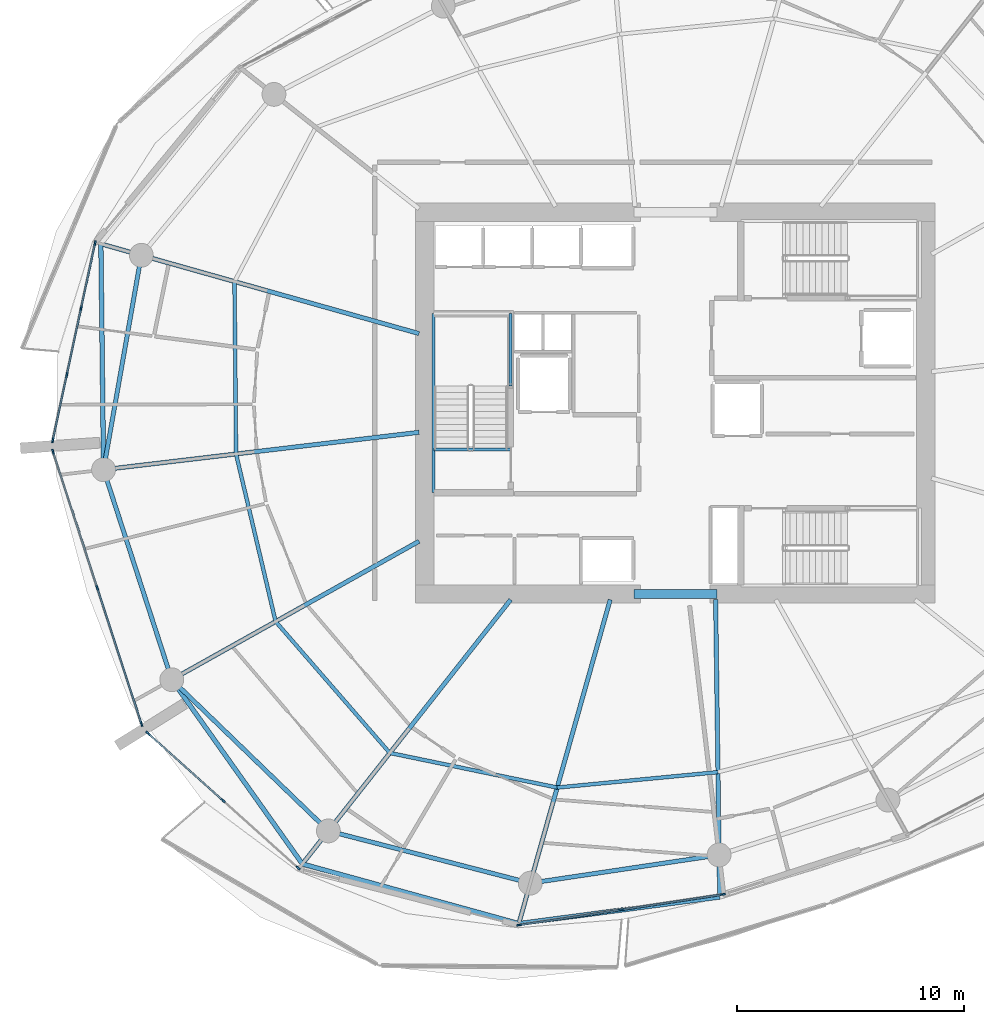
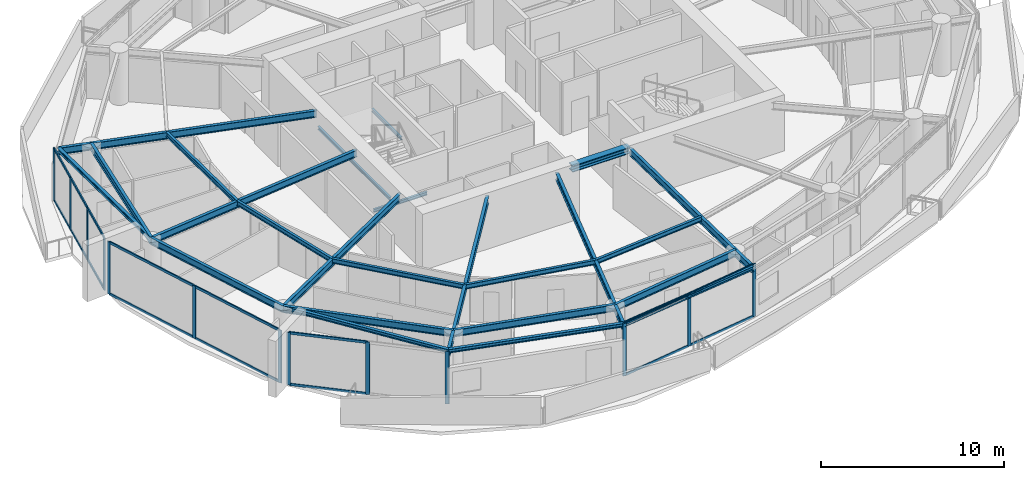
# One storey, part 5 of 20: 29 members, 24 beams, 4 elements without a shape of their own.
"""IFC4 building model written with IfcOpenShell, lengths in metres."""

from ifc_helpers import new_model, si_unit, direction, frame, origin, origin_2d, place, context, subcontext, project, spatial, rectangle, i_section, extrude, material, layer, layer_set, material_profile, profile_set, type_object, element, aggregate, save


model = new_model("IFC4")

# Units and contexts
model_context = context("Model", 3, precision=1e-05, world=origin(), true_north=direction((0.0, 1.0)))
body_context = subcontext(model_context, "Body", "Model", "MODEL_VIEW")
ifc_project = project(units=[si_unit("LENGTHUNIT", "METRE"), si_unit("AREAUNIT", "SQUARE_METRE"), si_unit("VOLUMEUNIT", "CUBIC_METRE"), si_unit("PLANEANGLEUNIT", "RADIAN"), si_unit("MASSUNIT", "GRAM", prefix="KILO")], contexts=[model_context])

# Site, building, storey
site_placement = place(None, origin())
site = spatial("IfcSite", under=ifc_project, at=site_placement, CompositionType="ELEMENT")
building_placement = place(site_placement, origin())
building = spatial("IfcBuilding", under=site, at=building_placement, Name="Kazma Halo Residences", CompositionType="ELEMENT")
storey_placement = place(building_placement, frame((0.0, 0.0, 150.300048828125)))
storey = spatial("IfcBuildingStorey", under=building, at=storey_placement, Name="L37", CompositionType="ELEMENT", Elevation=150.300048828125)

# Beams
ifc_material_1 = material(Name="Steel S355", Category="steel")
ifc_material_profile_1 = material_profile(ifc_material_1, i_section(OverallWidth=0.201904296875, OverallDepth=0.2470703125, WebThickness=0.00732421875, FlangeThickness=0.010986328125, FilletRadius=0.011962890625, at=origin_2d()), Name="W250x49.1")
ifc_profile_set_1 = profile_set([ifc_material_profile_1], Name="Steel S355")
beam_type_1 = type_object("IfcBeamType", Name="BM-BAL-CANT", PredefinedType="BEAM", material=ifc_profile_set_1)
beam_1_placement = place(storey_placement, frame((23.149658203125, 49.008544921875, 3.37646484375), z_axis=(0.011793371143, -0.99993045578, 0.0), x_axis=(0.99993045578, 0.011793371143, 0.0)))
element("IfcBeam", 1, at=beam_1_placement, inside=storey, type_object=beam_type_1, Name="L37 wave-balcony tie beam 07", PredefinedType="BEAM", context=body_context, shape_type="SweptSolid", body=[
    extrude(i_section(OverallWidth=0.201904296875, OverallDepth=0.2470703125, WebThickness=0.00732421875, FlangeThickness=0.010986328125, FilletRadius=0.011962890625, at=origin_2d()), origin(), (0.0, 0.0, 1.0), 9.936767578125),
])
beam_2_placement = place(storey_placement, frame((26.269775390625, 29.83056640625, 3.37646484375), z_axis=(0.578203432081, -0.81589263456, 0.0), x_axis=(0.81589263456, 0.578203432081, 0.0)))
element("IfcBeam", 2, at=beam_2_placement, inside=storey, type_object=beam_type_1, Name="L37 wave-balcony lead tie beam 09", PredefinedType="BEAM", context=body_context, shape_type="SweptSolid", body=[
    extrude(i_section(OverallWidth=0.201904296875, OverallDepth=0.2470703125, WebThickness=0.00732421875, FlangeThickness=0.010986328125, FilletRadius=0.011962890625, at=origin_2d()), origin(), (0.0, 0.0, 1.0), 9.9365234375),
])
beam_3_placement = place(storey_placement, frame((32.01513671875, 21.723388671875, 3.37646484375), z_axis=(0.964045237638, -0.265738179019, 0.0), x_axis=(0.265738179019, 0.964045237638, 0.0)))
element("IfcBeam", 3, at=beam_3_placement, inside=storey, type_object=beam_type_1, Name="L37 wave-balcony tie beam 10", PredefinedType="BEAM", context=body_context, shape_type="SweptSolid", body=[
    extrude(i_section(OverallWidth=0.201904296875, OverallDepth=0.2470703125, WebThickness=0.00732421875, FlangeThickness=0.010986328125, FilletRadius=0.011962890625, at=origin_2d()), origin(), (0.0, 0.0, 1.0), 9.880859375),
])
beam_4_placement = place(storey_placement, frame((41.540771484375, 19.09765625, 3.37646484375), z_axis=(0.991326402839, 0.13142284061, 0.0), x_axis=(-0.13142284061, 0.991326402839, 0.0)))
element("IfcBeam", 4, at=beam_4_placement, inside=storey, type_object=beam_type_1, Name="L37 wave-balcony tie beam 11", PredefinedType="BEAM", context=body_context, shape_type="SweptSolid", body=[
    extrude(i_section(OverallWidth=0.201904296875, OverallDepth=0.2470703125, WebThickness=0.00732421875, FlangeThickness=0.010986328125, FilletRadius=0.011962890625, at=origin_2d()), origin(), (0.0, 0.0, 1.0), 8.9150390625),
])
ifc_material_profile_2 = material_profile(ifc_material_1, i_section(OverallWidth=0.408935546875, OverallDepth=0.425048828125, WebThickness=0.03271484375, FlangeThickness=0.052490234375, FilletRadius=0.02001953125, at=origin_2d()), Name="W360x421")
ifc_profile_set_2 = profile_set([ifc_material_profile_2], Name="Steel S355")
beam_type_2 = type_object("IfcBeamType", Name="BM-CORE-W360H", PredefinedType="BEAM", material=ifc_profile_set_2)
beam_5_placement = place(storey_placement, frame((46.60009765625, 33.60009765625, 3.287353515625), z_axis=(1.0, 0.0, 0.0), x_axis=(0.0, 1.0, 0.0)))
element("IfcBeam", 5, at=beam_5_placement, inside=storey, type_object=beam_type_2, Name="L37 core coupling beam S", PredefinedType="BEAM", context=body_context, shape_type="SweptSolid", body=[
    extrude(i_section(OverallWidth=0.408935546875, OverallDepth=0.425048828125, WebThickness=0.03271484375, FlangeThickness=0.052490234375, FilletRadius=0.02001953125, at=origin_2d()), origin(), (0.0, 0.0, 1.0), 3.64990234375),
])
ifc_material_profile_3 = material_profile(ifc_material_1, i_section(OverallWidth=0.18994140625, OverallDepth=0.45703125, WebThickness=0.009033203125, FlangeThickness=0.014404296875, FilletRadius=0.01611328125, at=origin_2d()), Name="W460x74")
ifc_profile_set_3 = profile_set([ifc_material_profile_3], Name="Steel S355")
beam_type_3 = type_object("IfcBeamType", Name="BM-RAD-W460", PredefinedType="BEAM", material=ifc_profile_set_3)
beam_6_placement = place(storey_placement, frame((37.14990234375, 45.06005859375, 3.271484375), z_axis=(-0.962455072712, 0.271441030447, 0.0), x_axis=(-0.271441030447, -0.962455072712, 0.0)))
element("IfcBeam", 6, at=beam_6_placement, inside=storey, type_object=beam_type_3, Name="L37 radial floor beam 07", PredefinedType="BEAM", context=body_context, shape_type="SweptSolid", body=[
    extrude(i_section(OverallWidth=0.18994140625, OverallDepth=0.45703125, WebThickness=0.009033203125, FlangeThickness=0.014404296875, FilletRadius=0.01611328125, at=origin_2d()), origin(), (0.0, 0.0, 1.0), 14.54638671875),
])
beam_7_placement = place(storey_placement, frame((37.14990234375, 40.7158203125, 3.271484375), z_axis=(-0.993067267044, -0.117547450531, 0.0), x_axis=(0.117547450531, -0.993067267044, 0.0)))
element("IfcBeam", 7, at=beam_7_placement, inside=storey, type_object=beam_type_3, Name="L37 radial floor beam 08", PredefinedType="BEAM", context=body_context, shape_type="SweptSolid", body=[
    extrude(i_section(OverallWidth=0.18994140625, OverallDepth=0.45703125, WebThickness=0.009033203125, FlangeThickness=0.014404296875, FilletRadius=0.01611328125, at=origin_2d()), origin(), (0.0, 0.0, 1.0), 13.97998046875),
])
beam_8_placement = place(storey_placement, frame((37.14990234375, 35.923583984375, 3.271484375), z_axis=(-0.87250100809, -0.488612311431, 0.0), x_axis=(0.488612311431, -0.87250100809, 0.0)))
element("IfcBeam", 8, at=beam_8_placement, inside=storey, type_object=beam_type_3, Name="L37 radial floor beam 09", PredefinedType="BEAM", context=body_context, shape_type="SweptSolid", body=[
    extrude(i_section(OverallWidth=0.18994140625, OverallDepth=0.45703125, WebThickness=0.009033203125, FlangeThickness=0.014404296875, FilletRadius=0.01611328125, at=origin_2d()), origin(), (0.0, 0.0, 1.0), 12.469970703125),
])
beam_9_placement = place(storey_placement, frame((41.180908203125, 33.35009765625, 3.271484375), z_axis=(-0.619094498239, -0.785316498139, 0.0), x_axis=(0.785316498139, -0.619094498239, 0.0)))
element("IfcBeam", 9, at=beam_9_placement, inside=storey, type_object=beam_type_3, Name="L37 radial floor beam 10", PredefinedType="BEAM", context=body_context, shape_type="SweptSolid", body=[
    extrude(i_section(OverallWidth=0.18994140625, OverallDepth=0.45703125, WebThickness=0.009033203125, FlangeThickness=0.014404296875, FilletRadius=0.01611328125, at=origin_2d()), origin(), (0.0, 0.0, 1.0), 14.80517578125),
])
beam_10_placement = place(storey_placement, frame((45.560302734375, 33.35009765625, 3.271484375), z_axis=(-0.271435886816, -0.962456523355, 0.0), x_axis=(0.962456523355, -0.271435886816, 0.0)))
element("IfcBeam", 10, at=beam_10_placement, inside=storey, type_object=beam_type_3, Name="L37 radial floor beam 11", PredefinedType="BEAM", context=body_context, shape_type="SweptSolid", body=[
    extrude(i_section(OverallWidth=0.18994140625, OverallDepth=0.45703125, WebThickness=0.009033203125, FlangeThickness=0.014404296875, FilletRadius=0.01611328125, at=origin_2d()), origin(), (0.0, 0.0, 1.0), 14.808349609375),
])
beam_11_placement = place(storey_placement, frame((50.199951171875, 33.35009765625, 3.271484375), z_axis=(0.013642135434, -0.99990694174, 0.0), x_axis=(0.99990694174, 0.013642135434, 0.0)))
element("IfcBeam", 11, at=beam_11_placement, inside=storey, type_object=beam_type_3, Name="L37 radial floor beam 12", PredefinedType="BEAM", context=body_context, shape_type="SweptSolid", body=[
    extrude(i_section(OverallWidth=0.18994140625, OverallDepth=0.45703125, WebThickness=0.009033203125, FlangeThickness=0.014404296875, FilletRadius=0.01611328125, at=origin_2d()), origin(), (0.0, 0.0, 1.0), 13.08203125),
])
ifc_material_profile_4 = material_profile(ifc_material_1, i_section(OverallWidth=0.1650390625, OverallDepth=0.31005859375, WebThickness=0.005859375, FlangeThickness=0.009765625, FilletRadius=0.011962890625, at=origin_2d()), Name="W310x38.7")
ifc_profile_set_4 = profile_set([ifc_material_profile_4], Name="Steel S355")
beam_type_4 = type_object("IfcBeamType", Name="BM-SEC-W310B", PredefinedType="JOIST", material=ifc_profile_set_4)
beam_12_placement = place(storey_placement, frame((29.02978515625, 47.35009765625, 3.344970703125), z_axis=(0.008944876706, -0.99995999379, 0.0), x_axis=(0.99995999379, 0.008944876706, 0.0)))
element("IfcBeam", 12, at=beam_12_placement, inside=storey, type_object=beam_type_4, Name="L37 circumferential floor joist 07", PredefinedType="JOIST", context=body_context, shape_type="SweptSolid", body=[
    extrude(i_section(OverallWidth=0.1650390625, OverallDepth=0.31005859375, WebThickness=0.005859375, FlangeThickness=0.009765625, FilletRadius=0.011962890625, at=origin_2d()), origin(), (0.0, 0.0, 1.0), 7.587646484375),
])
beam_13_placement = place(storey_placement, frame((29.09765625, 39.7626953125, 3.344970703125), z_axis=(0.229897820601, -0.973214771817, 0.0), x_axis=(0.973214771817, 0.229897820601, 0.0)))
element("IfcBeam", 13, at=beam_13_placement, inside=storey, type_object=beam_type_4, Name="L37 circumferential floor joist 08", PredefinedType="JOIST", context=body_context, shape_type="SweptSolid", body=[
    extrude(i_section(OverallWidth=0.1650390625, OverallDepth=0.31005859375, WebThickness=0.005859375, FlangeThickness=0.009765625, FilletRadius=0.011962890625, at=origin_2d()), origin(), (0.0, 0.0, 1.0), 7.575927734375),
])
beam_14_placement = place(storey_placement, frame((30.83935546875, 32.3896484375, 3.344970703125), z_axis=(0.655935687589, -0.754816781575, 0.0), x_axis=(0.754816781575, 0.655935687589, 0.0)))
element("IfcBeam", 14, at=beam_14_placement, inside=storey, type_object=beam_type_4, Name="L37 circumferential floor joist 09", PredefinedType="JOIST", context=body_context, shape_type="SweptSolid", body=[
    extrude(i_section(OverallWidth=0.1650390625, OverallDepth=0.31005859375, WebThickness=0.005859375, FlangeThickness=0.009765625, FilletRadius=0.011962890625, at=origin_2d()), origin(), (0.0, 0.0, 1.0), 7.661376953125),
])
beam_15_placement = place(storey_placement, frame((35.86474609375, 26.606689453125, 3.344970703125), z_axis=(0.979272189631, -0.202548706773, 0.0), x_axis=(0.202548706773, 0.979272189631, 0.0)))
element("IfcBeam", 15, at=beam_15_placement, inside=storey, type_object=beam_type_4, Name="L37 circumferential floor joist 10", PredefinedType="JOIST", context=body_context, shape_type="SweptSolid", body=[
    extrude(i_section(OverallWidth=0.1650390625, OverallDepth=0.31005859375, WebThickness=0.005859375, FlangeThickness=0.009765625, FilletRadius=0.011962890625, at=origin_2d()), origin(), (0.0, 0.0, 1.0), 7.52001953125),
])
beam_16_placement = place(storey_placement, frame((43.22900390625, 25.08349609375, 3.344970703125), z_axis=(0.995416389983, 0.095635822539, 0.0), x_axis=(-0.095635822539, 0.995416389983, 0.0)))
element("IfcBeam", 16, at=beam_16_placement, inside=storey, type_object=beam_type_4, Name="L37 circumferential floor joist 11", PredefinedType="JOIST", context=body_context, shape_type="SweptSolid", body=[
    extrude(i_section(OverallWidth=0.1650390625, OverallDepth=0.31005859375, WebThickness=0.005859375, FlangeThickness=0.009765625, FilletRadius=0.011962890625, at=origin_2d()), origin(), (0.0, 0.0, 1.0), 7.10693359375),
])
ifc_material_profile_5 = material_profile(ifc_material_1, i_section(OverallWidth=0.18994140625, OverallDepth=0.45703125, WebThickness=0.009033203125, FlangeThickness=0.014404296875, FilletRadius=0.01611328125, at=origin_2d()), Name="W460x74")
ifc_profile_set_5 = profile_set([ifc_material_profile_5], Name="Steel S355")
beam_type_5 = type_object("IfcBeamType", Name="BM-SPN-W460", PredefinedType="BEAM", material=ifc_profile_set_5)
beam_17_placement = place(storey_placement, frame((24.93017578125, 48.50634765625, 3.271484375), z_axis=(-0.173637033425, -0.984809717978, 0.0), x_axis=(0.984809717978, -0.173637033425, 0.0)))
element("IfcBeam", 17, at=beam_17_placement, inside=storey, type_object=beam_type_5, Name="L37 perimeter ring beam 07", PredefinedType="BEAM", context=body_context, shape_type="SweptSolid", body=[
    extrude(i_section(OverallWidth=0.18994140625, OverallDepth=0.45703125, WebThickness=0.009033203125, FlangeThickness=0.014404296875, FilletRadius=0.01611328125, at=origin_2d()), origin(), (0.0, 0.0, 1.0), 9.579345703125),
])
beam_18_placement = place(storey_placement, frame((23.266845703125, 39.072509765625, 3.271484375), z_axis=(0.309020741629, -0.95105529873, 0.0), x_axis=(0.95105529873, 0.309020741629, 0.0)))
element("IfcBeam", 18, at=beam_18_placement, inside=storey, type_object=beam_type_5, Name="L37 perimeter ring beam 08", PredefinedType="BEAM", context=body_context, shape_type="SweptSolid", body=[
    extrude(i_section(OverallWidth=0.18994140625, OverallDepth=0.45703125, WebThickness=0.009033203125, FlangeThickness=0.014404296875, FilletRadius=0.01611328125, at=origin_2d()), origin(), (0.0, 0.0, 1.0), 9.717529296875),
])
beam_19_placement = place(storey_placement, frame((26.269775390625, 29.83056640625, 3.271484375), z_axis=(0.719334705845, -0.694663645923, 0.0), x_axis=(0.694663645923, 0.719334705845, 0.0)))
element("IfcBeam", 19, at=beam_19_placement, inside=storey, type_object=beam_type_5, Name="L37 perimeter ring beam 09", PredefinedType="BEAM", context=body_context, shape_type="SweptSolid", body=[
    extrude(i_section(OverallWidth=0.18994140625, OverallDepth=0.45703125, WebThickness=0.009033203125, FlangeThickness=0.014404296875, FilletRadius=0.01611328125, at=origin_2d()), origin(), (0.0, 0.0, 1.0), 9.5791015625),
])
beam_20_placement = place(storey_placement, frame((33.160400390625, 23.17626953125, 3.271484375), z_axis=(0.968123664213, -0.250472694699, 0.0), x_axis=(0.250472694699, 0.968123664213, 0.0)))
element("IfcBeam", 20, at=beam_20_placement, inside=storey, type_object=beam_type_5, Name="L37 perimeter ring beam 10", PredefinedType="BEAM", context=body_context, shape_type="SweptSolid", body=[
    extrude(i_section(OverallWidth=0.18994140625, OverallDepth=0.45703125, WebThickness=0.009033203125, FlangeThickness=0.014404296875, FilletRadius=0.01611328125, at=origin_2d()), origin(), (0.0, 0.0, 1.0), 9.175048828125),
])
beam_21_placement = place(storey_placement, frame((42.04296875, 20.878173828125, 3.271484375), z_axis=(0.989037147603, 0.147666924735, 0.0), x_axis=(-0.147666924735, 0.989037147603, 0.0)))
element("IfcBeam", 21, at=beam_21_placement, inside=storey, type_object=beam_type_5, Name="L37 perimeter ring beam 11", PredefinedType="BEAM", context=body_context, shape_type="SweptSolid", body=[
    extrude(i_section(OverallWidth=0.18994140625, OverallDepth=0.45703125, WebThickness=0.009033203125, FlangeThickness=0.014404296875, FilletRadius=0.01611328125, at=origin_2d()), origin(), (0.0, 0.0, 1.0), 8.402099609375),
])
ifc_material_profile_6 = material_profile(ifc_material_1, i_section(OverallWidth=0.133056640625, OverallDepth=0.20703125, WebThickness=0.005859375, FlangeThickness=0.00830078125, FilletRadius=0.010009765625, at=origin_2d()), Name="W200x26.6")
ifc_profile_set_6 = profile_set([ifc_material_profile_6], Name="Steel S355")
beam_type_6 = type_object("IfcBeamType", Name="BM-TRIM-W200", PredefinedType="BEAM", material=ifc_profile_set_6)
beam_22_placement = place(storey_placement, frame((37.800048828125, 39.949951171875, -0.360107421875), z_axis=(1.0, 0.0, 0.0), x_axis=(0.0, 1.0, 0.0)))
element("IfcBeam", 22, at=beam_22_placement, inside=storey, type_object=beam_type_6, Name="L37 ST-01 floor landing support beam", PredefinedType="BEAM", context=body_context, shape_type="SweptSolid", body=[
    extrude(i_section(OverallWidth=0.133056640625, OverallDepth=0.20703125, WebThickness=0.005859375, FlangeThickness=0.00830078125, FilletRadius=0.010009765625, at=origin_2d()), origin(), (0.0, 0.0, 1.0), 3.3798828125),
])
beam_23_placement = place(storey_placement, frame((37.780029296875, 38.06005859375, 1.570068359375), z_axis=(0.0, 1.0, 0.0), x_axis=(-1.0, 0.0, 0.0)))
element("IfcBeam", 23, at=beam_23_placement, inside=storey, type_object=beam_type_6, Name="L37 ST-01 landing west wall ledger", PredefinedType="BEAM", context=body_context, shape_type="SweptSolid", body=[
    extrude(i_section(OverallWidth=0.133056640625, OverallDepth=0.20703125, WebThickness=0.005859375, FlangeThickness=0.00830078125, FilletRadius=0.010009765625, at=origin_2d()), origin(), (0.0, 0.0, 1.0), 7.8798828125),
])
beam_24_placement = place(storey_placement, frame((41.179931640625, 42.75, 1.570068359375), z_axis=(0.0, 1.0, 0.0), x_axis=(-1.0, 0.0, 0.0)))
element("IfcBeam", 24, at=beam_24_placement, inside=storey, type_object=beam_type_6, Name="L37 ST-01 landing east wall ledger", PredefinedType="BEAM", context=body_context, shape_type="SweptSolid", body=[
    extrude(i_section(OverallWidth=0.133056640625, OverallDepth=0.20703125, WebThickness=0.005859375, FlangeThickness=0.00830078125, FilletRadius=0.010009765625, at=origin_2d()), origin(), (0.0, 0.0, 1.0), 3.18994140625),
])

# Curtain wall, members
ifc_material_2 = material(Name="Aluminium AW-6063 T6 and Triple-Silver Low-E Glass", Category="aluminium")
ifc_layer = layer(ifc_material_2, 0.219970703125)
ifc_layer_set = layer_set([ifc_layer], Name="Aluminium AW-6063 T6 and Triple-Silver Low-E Glass")
curtain_wall_type = type_object("IfcCurtainWallType", Name="CW-SYS-4", PredefinedType="NOTDEFINED", material=ifc_layer_set)
curtain_wall_1_placement = place(storey_placement, origin())
curtain_wall_1 = element("IfcCurtainWall", 25, at=curtain_wall_1_placement, inside=storey, type_object=curtain_wall_type, Name="L37 unitised curtain wall B07", PredefinedType="NOTDEFINED")
ifc_material_3 = material(Name="Aluminium AW-6063 T6", Category="aluminium")
ifc_material_profile_7 = material_profile(ifc_material_3, rectangle(XDim=0.074951171875, YDim=0.219970703125, at=origin_2d()), Name="CWM-75x220")
ifc_profile_set_7 = profile_set([ifc_material_profile_7], Name="Aluminium AW-6063 T6")
member_type_1 = type_object("IfcMemberType", Name="CW-SYS-4-MUL", PredefinedType="MULLION", material=ifc_profile_set_7)
member_1_placement = place(storey_placement, frame((22.894775390625, 49.04150390625, 0.0), z_axis=(0.0, 0.0, 1.0), x_axis=(0.977764957684, -0.209703809037, 0.0)))
member_1 = element("IfcMember", 26, at=member_1_placement, type_object=member_type_1, Name="CWS-4 mullion 1", PredefinedType="MULLION", context=body_context, shape_type="SweptSolid", body=[
    extrude(rectangle(XDim=0.074951171875, YDim=0.219970703125, at=origin_2d()), origin(), (0.0, 0.0, 1.0), 3.5),
])
member_2_placement = place(storey_placement, frame((22.27685546875, 46.160888671875, 0.0), z_axis=(0.0, 0.0, 1.0), x_axis=(0.977764957684, -0.209703809037, 0.0)))
member_2 = element("IfcMember", 27, at=member_2_placement, type_object=member_type_1, Name="CWS-4 mullion 2", PredefinedType="MULLION", context=body_context, shape_type="SweptSolid", body=[
    extrude(rectangle(XDim=0.074951171875, YDim=0.219970703125, at=origin_2d()), origin(), (0.0, 0.0, 1.0), 3.5),
])
member_3_placement = place(storey_placement, frame((21.6513671875, 43.24365234375, 0.0), z_axis=(0.0, 0.0, 1.0), x_axis=(0.977764957684, -0.209703809037, 0.0)))
member_3 = element("IfcMember", 28, at=member_3_placement, type_object=member_type_1, Name="CWS-4 mullion 3", PredefinedType="MULLION", context=body_context, shape_type="SweptSolid", body=[
    extrude(rectangle(XDim=0.074951171875, YDim=0.219970703125, at=origin_2d()), origin(), (0.0, 0.0, 1.0), 3.5),
])
member_4_placement = place(storey_placement, frame((21.033447265625, 40.36328125, 0.0), z_axis=(0.0, 0.0, 1.0), x_axis=(0.977764957684, -0.209703809037, 0.0)))
member_4 = element("IfcMember", 29, at=member_4_placement, type_object=member_type_1, Name="CWS-4 mullion 4", PredefinedType="MULLION", context=body_context, shape_type="SweptSolid", body=[
    extrude(rectangle(XDim=0.074951171875, YDim=0.219970703125, at=origin_2d()), origin(), (0.0, 0.0, 1.0), 3.5),
])

curtain_wall_2_placement = place(storey_placement, origin())
curtain_wall_2 = element("IfcCurtainWall", 30, at=curtain_wall_2_placement, inside=storey, type_object=curtain_wall_type, Name="L37 unitised curtain wall B08", PredefinedType="NOTDEFINED")
member_5_placement = place(storey_placement, frame((21.044189453125, 39.86572265625, 0.0), z_axis=(0.0, 0.0, 1.0), x_axis=(0.951057547609, 0.3090138203, 0.0)))
member_5 = element("IfcMember", 31, at=member_5_placement, type_object=member_type_1, Name="CWS-4 mullion 1", PredefinedType="MULLION", context=body_context, shape_type="SweptSolid", body=[
    extrude(rectangle(XDim=0.074951171875, YDim=0.219970703125, at=origin_2d()), origin(), (0.0, 0.0, 1.0), 3.5),
])
member_6_placement = place(storey_placement, frame((22.990966796875, 33.8740234375, 0.0), z_axis=(0.0, 0.0, 1.0), x_axis=(0.951057547609, 0.3090138203, 0.0)))
member_6 = element("IfcMember", 32, at=member_6_placement, type_object=member_type_1, Name="CWS-4 mullion 2", PredefinedType="MULLION", context=body_context, shape_type="SweptSolid", body=[
    extrude(rectangle(XDim=0.074951171875, YDim=0.219970703125, at=origin_2d()), origin(), (0.0, 0.0, 1.0), 3.5),
])
member_7_placement = place(storey_placement, frame((24.937744140625, 27.882568359375, 0.0), z_axis=(0.0, 0.0, 1.0), x_axis=(0.951057547609, 0.3090138203, 0.0)))
member_7 = element("IfcMember", 33, at=member_7_placement, type_object=member_type_1, Name="CWS-4 mullion 3", PredefinedType="MULLION", context=body_context, shape_type="SweptSolid", body=[
    extrude(rectangle(XDim=0.074951171875, YDim=0.219970703125, at=origin_2d()), origin(), (0.0, 0.0, 1.0), 3.5),
])

curtain_wall_3_placement = place(storey_placement, origin())
curtain_wall_3 = element("IfcCurtainWall", 34, at=curtain_wall_3_placement, inside=storey, type_object=curtain_wall_type, Name="L37 unitised curtain wall B09", PredefinedType="NOTDEFINED")
member_8_placement = place(storey_placement, frame((25.221435546875, 27.4736328125, 0.0), z_axis=(0.0, 0.0, 1.0), x_axis=(0.667770096247, 0.744367582957, 0.0)))
member_8 = element("IfcMember", 35, at=member_8_placement, type_object=member_type_1, Name="CWS-4 mullion 1", PredefinedType="MULLION", context=body_context, shape_type="SweptSolid", body=[
    extrude(rectangle(XDim=0.074951171875, YDim=0.219970703125, at=origin_2d()), origin(), (0.0, 0.0, 1.0), 3.5),
])
member_9_placement = place(storey_placement, frame((28.52490234375, 24.51025390625, 0.0), z_axis=(0.0, 0.0, 1.0), x_axis=(0.667770096247, 0.744367582957, 0.0)))
member_9 = element("IfcMember", 36, at=member_9_placement, type_object=member_type_1, Name="CWS-4 mullion 2", PredefinedType="MULLION", context=body_context, shape_type="SweptSolid", body=[
    extrude(rectangle(XDim=0.074951171875, YDim=0.219970703125, at=origin_2d()), origin(), (0.0, 0.0, 1.0), 3.5),
])
member_10_placement = place(storey_placement, frame((31.828369140625, 21.546630859375, 0.0), z_axis=(0.0, 0.0, 1.0), x_axis=(0.667770096247, 0.744367582957, 0.0)))
member_10 = element("IfcMember", 37, at=member_10_placement, type_object=member_type_1, Name="CWS-4 mullion 3", PredefinedType="MULLION", context=body_context, shape_type="SweptSolid", body=[
    extrude(rectangle(XDim=0.074951171875, YDim=0.219970703125, at=origin_2d()), origin(), (0.0, 0.0, 1.0), 3.5),
])

curtain_wall_4_placement = place(storey_placement, origin())
curtain_wall_4 = element("IfcCurtainWall", 38, at=curtain_wall_4_placement, inside=storey, type_object=curtain_wall_type, Name="L37 unitised curtain wall B11", PredefinedType="NOTDEFINED")
member_11_placement = place(storey_placement, frame((41.559326171875, 19.037109375, 0.0), z_axis=(0.0, 0.0, 1.0), x_axis=(-0.148821022686, 0.988864148004, 0.0)))
member_11 = element("IfcMember", 39, at=member_11_placement, type_object=member_type_1, Name="CWS-4 mullion 1", PredefinedType="MULLION", context=body_context, shape_type="SweptSolid", body=[
    extrude(rectangle(XDim=0.074951171875, YDim=0.219970703125, at=origin_2d()), origin(), (0.0, 0.0, 1.0), 3.5),
])
member_12_placement = place(storey_placement, frame((46.039794921875, 19.71142578125, 0.0), z_axis=(0.0, 0.0, 1.0), x_axis=(-0.148821022686, 0.988864148004, 0.0)))
member_12 = element("IfcMember", 40, at=member_12_placement, type_object=member_type_1, Name="CWS-4 mullion 2", PredefinedType="MULLION", context=body_context, shape_type="SweptSolid", body=[
    extrude(rectangle(XDim=0.074951171875, YDim=0.219970703125, at=origin_2d()), origin(), (0.0, 0.0, 1.0), 3.5),
])
member_13_placement = place(storey_placement, frame((50.5205078125, 20.3857421875, 0.0), z_axis=(0.0, 0.0, 1.0), x_axis=(-0.148821022686, 0.988864148004, 0.0)))
member_13 = element("IfcMember", 41, at=member_13_placement, type_object=member_type_1, Name="CWS-4 mullion 3", PredefinedType="MULLION", context=body_context, shape_type="SweptSolid", body=[
    extrude(rectangle(XDim=0.074951171875, YDim=0.219970703125, at=origin_2d()), origin(), (0.0, 0.0, 1.0), 3.5),
])

# Member
ifc_material_profile_8 = material_profile(ifc_material_3, rectangle(XDim=0.074951171875, YDim=0.1650390625, at=origin_2d()), Name="CWT-75x165")
ifc_profile_set_8 = profile_set([ifc_material_profile_8], Name="Aluminium AW-6063 T6")
member_type_2 = type_object("IfcMemberType", Name="CW-SYS-4-TRN", PredefinedType="USERDEFINED", material=ifc_profile_set_8)
member_14_placement = place(storey_placement, frame((22.886962890625, 49.0048828125, 0.037353515625), z_axis=(-0.209703309269, -0.977765064871, 0.0), x_axis=(0.977765064871, -0.209703309269, 0.0)))
member_14 = element("IfcMember", 42, at=member_14_placement, type_object=member_type_2, Name="CWS-4 transom 1.1", ObjectType="TRANSOM", PredefinedType="USERDEFINED", context=body_context, shape_type="SweptSolid", body=[
    extrude(rectangle(XDim=0.074951171875, YDim=0.1650390625, at=origin_2d()), origin(), (0.0, 0.0, 1.0), 2.870849609375),
])

member_15_placement = place(storey_placement, frame((22.886962890625, 49.0048828125, 3.46240234375), z_axis=(-0.209703309269, -0.977765064871, 0.0), x_axis=(0.977765064871, -0.209703309269, 0.0)))
member_15 = element("IfcMember", 43, at=member_15_placement, type_object=member_type_2, Name="CWS-4 transom 1.2", ObjectType="TRANSOM", PredefinedType="USERDEFINED", context=body_context, shape_type="SweptSolid", body=[
    extrude(rectangle(XDim=0.074951171875, YDim=0.1650390625, at=origin_2d()), origin(), (0.0, 0.0, 1.0), 2.870849609375),
])

member_16_placement = place(storey_placement, frame((22.26904296875, 46.124267578125, 0.037353515625), z_axis=(-0.209689601293, -0.977768004748, 0.0), x_axis=(0.977768004748, -0.209689601293, 0.0)))
member_16 = element("IfcMember", 44, at=member_16_placement, type_object=member_type_2, Name="CWS-4 transom 2.1", ObjectType="TRANSOM", PredefinedType="USERDEFINED", context=body_context, shape_type="SweptSolid", body=[
    extrude(rectangle(XDim=0.074951171875, YDim=0.1650390625, at=origin_2d()), origin(), (0.0, 0.0, 1.0), 2.908447265625),
])

member_17_placement = place(storey_placement, frame((22.26904296875, 46.124267578125, 3.46240234375), z_axis=(-0.209689601293, -0.977768004748, 0.0), x_axis=(0.977768004748, -0.209689601293, 0.0)))
member_17 = element("IfcMember", 45, at=member_17_placement, type_object=member_type_2, Name="CWS-4 transom 2.2", ObjectType="TRANSOM", PredefinedType="USERDEFINED", context=body_context, shape_type="SweptSolid", body=[
    extrude(rectangle(XDim=0.074951171875, YDim=0.1650390625, at=origin_2d()), origin(), (0.0, 0.0, 1.0), 2.908447265625),
])

member_18_placement = place(storey_placement, frame((21.643310546875, 43.20703125, 0.037353515625), z_axis=(-0.209703309269, -0.977765064871, 0.0), x_axis=(0.977765064871, -0.209703309269, 0.0)))
member_18 = element("IfcMember", 46, at=member_18_placement, type_object=member_type_2, Name="CWS-4 transom 3.1", ObjectType="TRANSOM", PredefinedType="USERDEFINED", context=body_context, shape_type="SweptSolid", body=[
    extrude(rectangle(XDim=0.074951171875, YDim=0.1650390625, at=origin_2d()), origin(), (0.0, 0.0, 1.0), 2.870849609375),
])

member_19_placement = place(storey_placement, frame((21.643310546875, 43.20703125, 3.46240234375), z_axis=(-0.209703309269, -0.977765064871, 0.0), x_axis=(0.977765064871, -0.209703309269, 0.0)))
member_19 = element("IfcMember", 47, at=member_19_placement, type_object=member_type_2, Name="CWS-4 transom 3.2", ObjectType="TRANSOM", PredefinedType="USERDEFINED", context=body_context, shape_type="SweptSolid", body=[
    extrude(rectangle(XDim=0.074951171875, YDim=0.1650390625, at=origin_2d()), origin(), (0.0, 0.0, 1.0), 2.870849609375),
])

aggregate(curtain_wall_1, [member_1, member_2, member_3, member_4, member_14, member_15, member_16, member_17, member_18, member_19])

member_20_placement = place(storey_placement, frame((21.0556640625, 39.830078125, 0.037353515625), z_axis=(0.309006258762, -0.95106000444, 0.0), x_axis=(0.95106000444, 0.309006258762, 0.0)))
member_20 = element("IfcMember", 48, at=member_20_placement, type_object=member_type_2, Name="CWS-4 transom 1.1", ObjectType="TRANSOM", PredefinedType="USERDEFINED", context=body_context, shape_type="SweptSolid", body=[
    extrude(rectangle(XDim=0.074951171875, YDim=0.1650390625, at=origin_2d()), origin(), (0.0, 0.0, 1.0), 6.22509765625),
])

member_21_placement = place(storey_placement, frame((21.0556640625, 39.830078125, 3.46240234375), z_axis=(0.309006258762, -0.95106000444, 0.0), x_axis=(0.95106000444, 0.309006258762, 0.0)))
member_21 = element("IfcMember", 49, at=member_21_placement, type_object=member_type_2, Name="CWS-4 transom 1.2", ObjectType="TRANSOM", PredefinedType="USERDEFINED", context=body_context, shape_type="SweptSolid", body=[
    extrude(rectangle(XDim=0.074951171875, YDim=0.1650390625, at=origin_2d()), origin(), (0.0, 0.0, 1.0), 6.22509765625),
])

member_22_placement = place(storey_placement, frame((23.00244140625, 33.83837890625, 0.037353515625), z_axis=(0.309017784977, -0.951056259413, 0.0), x_axis=(0.951056259413, 0.309017784977, 0.0)))
member_22 = element("IfcMember", 50, at=member_22_placement, type_object=member_type_2, Name="CWS-4 transom 2.1", ObjectType="TRANSOM", PredefinedType="USERDEFINED", context=body_context, shape_type="SweptSolid", body=[
    extrude(rectangle(XDim=0.074951171875, YDim=0.1650390625, at=origin_2d()), origin(), (0.0, 0.0, 1.0), 6.224853515625),
])

member_23_placement = place(storey_placement, frame((23.00244140625, 33.83837890625, 3.46240234375), z_axis=(0.309017784977, -0.951056259413, 0.0), x_axis=(0.951056259413, 0.309017784977, 0.0)))
member_23 = element("IfcMember", 51, at=member_23_placement, type_object=member_type_2, Name="CWS-4 transom 2.2", ObjectType="TRANSOM", PredefinedType="USERDEFINED", context=body_context, shape_type="SweptSolid", body=[
    extrude(rectangle(XDim=0.074951171875, YDim=0.1650390625, at=origin_2d()), origin(), (0.0, 0.0, 1.0), 6.224853515625),
])

aggregate(curtain_wall_2, [member_5, member_6, member_7, member_20, member_21, member_22, member_23])

member_24_placement = place(storey_placement, frame((25.24951171875, 27.44873046875, 0.037353515625), z_axis=(0.744344978888, -0.66779529229, 0.0), x_axis=(0.66779529229, 0.744344978888, 0.0)))
member_24 = element("IfcMember", 52, at=member_24_placement, type_object=member_type_2, Name="CWS-4 transom 1.1", ObjectType="TRANSOM", PredefinedType="USERDEFINED", context=body_context, shape_type="SweptSolid", body=[
    extrude(rectangle(XDim=0.074951171875, YDim=0.1650390625, at=origin_2d()), origin(), (0.0, 0.0, 1.0), 4.363037109375),
])

member_25_placement = place(storey_placement, frame((25.24951171875, 27.44873046875, 3.46240234375), z_axis=(0.744344978888, -0.66779529229, 0.0), x_axis=(0.66779529229, 0.744344978888, 0.0)))
member_25 = element("IfcMember", 53, at=member_25_placement, type_object=member_type_2, Name="CWS-4 transom 1.2", ObjectType="TRANSOM", PredefinedType="USERDEFINED", context=body_context, shape_type="SweptSolid", body=[
    extrude(rectangle(XDim=0.074951171875, YDim=0.1650390625, at=origin_2d()), origin(), (0.0, 0.0, 1.0), 4.363037109375),
])

aggregate(curtain_wall_3, [member_8, member_9, member_10, member_24, member_25])

member_26_placement = place(storey_placement, frame((41.596435546875, 19.042724609375, 0.037353515625), z_axis=(0.988866721231, 0.148803923478, 0.0), x_axis=(-0.148803923478, 0.988866721231, 0.0)))
member_26 = element("IfcMember", 54, at=member_26_placement, type_object=member_type_2, Name="CWS-4 transom 1.1", ObjectType="TRANSOM", PredefinedType="USERDEFINED", context=body_context, shape_type="SweptSolid", body=[
    extrude(rectangle(XDim=0.074951171875, YDim=0.1650390625, at=origin_2d()), origin(), (0.0, 0.0, 1.0), 4.4560546875),
])

member_27_placement = place(storey_placement, frame((41.596435546875, 19.042724609375, 3.46240234375), z_axis=(0.988866721231, 0.148803923478, 0.0), x_axis=(-0.148803923478, 0.988866721231, 0.0)))
member_27 = element("IfcMember", 55, at=member_27_placement, type_object=member_type_2, Name="CWS-4 transom 1.2", ObjectType="TRANSOM", PredefinedType="USERDEFINED", context=body_context, shape_type="SweptSolid", body=[
    extrude(rectangle(XDim=0.074951171875, YDim=0.1650390625, at=origin_2d()), origin(), (0.0, 0.0, 1.0), 4.4560546875),
])

member_28_placement = place(storey_placement, frame((46.076904296875, 19.717041015625, 0.037353515625), z_axis=(0.988866721231, 0.148803923478, 0.0), x_axis=(-0.148803923478, 0.988866721231, 0.0)))
member_28 = element("IfcMember", 56, at=member_28_placement, type_object=member_type_2, Name="CWS-4 transom 2.1", ObjectType="TRANSOM", PredefinedType="USERDEFINED", context=body_context, shape_type="SweptSolid", body=[
    extrude(rectangle(XDim=0.074951171875, YDim=0.1650390625, at=origin_2d()), origin(), (0.0, 0.0, 1.0), 4.4560546875),
])

member_29_placement = place(storey_placement, frame((46.076904296875, 19.717041015625, 3.46240234375), z_axis=(0.988866721231, 0.148803923478, 0.0), x_axis=(-0.148803923478, 0.988866721231, 0.0)))
member_29 = element("IfcMember", 57, at=member_29_placement, type_object=member_type_2, Name="CWS-4 transom 2.2", ObjectType="TRANSOM", PredefinedType="USERDEFINED", context=body_context, shape_type="SweptSolid", body=[
    extrude(rectangle(XDim=0.074951171875, YDim=0.1650390625, at=origin_2d()), origin(), (0.0, 0.0, 1.0), 4.4560546875),
])

aggregate(curtain_wall_4, [member_11, member_12, member_13, member_26, member_27, member_28, member_29])

save(model, "model.ifc")
